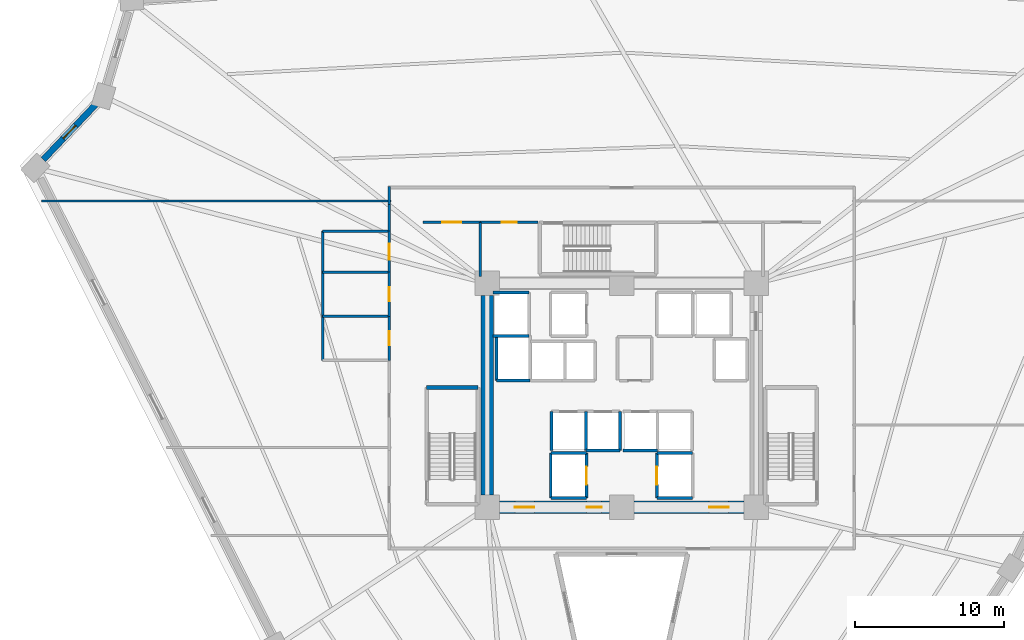
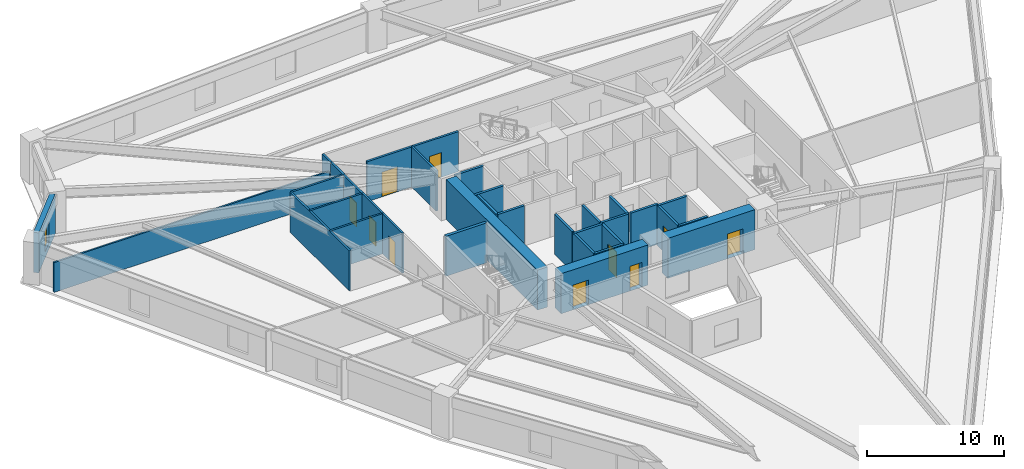
# One storey, part 4 of 8: 34 walls, 10 doors, 1 window, 11 openings.
"""IFC4 building model written with IfcOpenShell, lengths in metres."""

from ifc_helpers import new_model, si_unit, direction, frame, frame_2d, origin, place, context, subcontext, project, spatial, rectangle, extrude, source, transform, mapped, material, layer, layer_set, type_object, element, fill, save


model = new_model("IFC4")

# Units and contexts
model_context = context("Model", 3, precision=1e-05, world=origin(), true_north=direction((0.0, 1.0)))
body_context = subcontext(model_context, "Body", "Model", "MODEL_VIEW")
ifc_project = project(units=[si_unit("LENGTHUNIT", "METRE"), si_unit("AREAUNIT", "SQUARE_METRE"), si_unit("VOLUMEUNIT", "CUBIC_METRE"), si_unit("PLANEANGLEUNIT", "RADIAN"), si_unit("MASSUNIT", "GRAM", prefix="KILO")], contexts=[model_context])

# Site, building, storey
site_placement = place(None, origin())
site = spatial("IfcSite", under=ifc_project, at=site_placement, CompositionType="ELEMENT")
building_placement = place(site_placement, origin())
building = spatial("IfcBuilding", under=site, at=building_placement, Name="Liaohun Quay Tower", CompositionType="ELEMENT")
storey_placement = place(building_placement, frame((0.0, 0.0, 32.25)))
storey = spatial("IfcBuildingStorey", under=building, at=storey_placement, Name="L08", CompositionType="ELEMENT", Elevation=32.25)

# Wall, opening, door
ifc_material_1 = material(Name="Concrete C60", Category="concrete")
ifc_layer_1 = layer(ifc_material_1, 0.85009765625, Name="Concrete C60", Category="concrete")
ifc_layer_set_1 = layer_set([ifc_layer_1], Name="Concrete C60")
wall_type_1 = type_object("IfcWallType", Name="WAL-COR-Z1", PredefinedType="SHEAR", material=ifc_layer_set_1)
wall_1_placement = place(storey_placement, frame((68.175048828125, 46.5, 0.0), z_axis=(0.0, 0.0, 1.0), x_axis=(-1.0, 0.0, 0.0)))
wall_1 = element("IfcWall", 1, at=wall_1_placement, inside=storey, type_object=wall_type_1, Name="L08 Central Core Shear Wall S-E", PredefinedType="SHEAR", context=body_context, shape_type="SweptSolid", body=[
    extrude(rectangle(XDim=7.35009765625, YDim=0.85009765625, at=frame_2d((3.675048828125, 0.0))), origin(), (0.0, 0.0, 1.0), 3.570068359375),
])
shared_shape_1 = source(origin(), body_context, "Body", "SweptSolid", [
    extrude(rectangle(XDim=1.300048828125, YDim=2.199951171875, at=frame_2d((0.64990234375, 1.10009765625))), frame((0.0, 0.43505859375, 0.0), z_axis=(0.0, -1.0, 0.0), x_axis=(1.0, 0.0, 0.0)), (0.0, 0.0, 1.0), 0.8701171875),
])
opening_1_placement = place(wall_1_placement, frame((1.02490234375, 0.0, 0.0)))
opening_1 = element("IfcOpeningElement", 2, at=opening_1_placement, cuts=wall_1, Name="Opening FD1", PredefinedType="OPENING", context=body_context, shape_type="MappedRepresentation", body=[
    mapped(shared_shape_1, transform((0.0, 0.0, 0.0), x_axis=(1.0, 0.0, 0.0), y_axis=(0.0, 1.0, 0.0), z_axis=(0.0, 0.0, 1.0), scale=1.0)),
])
ifc_material_2 = material(Name="Galvanised steel smokeproof fire door", Category="steel")
door_type_1 = type_object("IfcDoorType", Name="DOR-FFL-1300", OperationType="NOTDEFINED", PredefinedType="DOOR", material=ifc_material_2)
shared_shape_2 = source(origin(), body_context, "Body", "SweptSolid", [
    extrude(rectangle(XDim=1.300048828125, YDim=2.199951171875, at=frame_2d((0.64990234375, 1.10009765625))), frame((0.0, 0.02490234375, 0.0), z_axis=(0.0, -1.0, 0.0), x_axis=(1.0, 0.0, 0.0)), (0.0, 0.0, 1.0), 0.050048828125),
])
door_1_placement = place(opening_1_placement, origin())
door_1 = element("IfcDoor", 3, at=door_1_placement, inside=storey, type_object=door_type_1, Name="L08 East Core Lift Lobby Smokeproof Door", OperationType="SINGLE_SWING_LEFT", OverallHeight=2.199951171875, OverallWidth=1.300048828125, PredefinedType="DOOR", context=body_context, shape_type="MappedRepresentation", body=[
    mapped(shared_shape_2, transform((0.0, 0.0, 0.0), x_axis=(1.0, 0.0, 0.0), y_axis=(0.0, 1.0, 0.0), z_axis=(0.0, 0.0, 1.0), scale=1.0)),
])
fill(opening_1, door_1)

# Wall, openings, doors
wall_2_placement = place(storey_placement, frame((59.175048828125, 46.5, 0.0), z_axis=(0.0, 0.0, 1.0), x_axis=(-1.0, 0.0, 0.0)))
wall_2 = element("IfcWall", 4, at=wall_2_placement, inside=storey, type_object=wall_type_1, Name="L08 Central Core Shear Wall S-W", PredefinedType="SHEAR", context=body_context, shape_type="SweptSolid", body=[
    extrude(rectangle(XDim=7.35009765625, YDim=0.85009765625, at=frame_2d((3.675048828125, 0.0))), origin(), (0.0, 0.0, 1.0), 3.570068359375),
])
opening_2_placement = place(wall_2_placement, frame((5.02490234375, 0.0, 0.0)))
opening_2 = element("IfcOpeningElement", 5, at=opening_2_placement, cuts=wall_2, Name="Opening FD1", PredefinedType="OPENING", context=body_context, shape_type="MappedRepresentation", body=[
    mapped(shared_shape_1, transform((0.0, 0.0, 0.0), x_axis=(1.0, 0.0, 0.0), y_axis=(0.0, 1.0, 0.0), z_axis=(0.0, 0.0, 1.0), scale=1.0)),
])
shared_shape_3 = source(origin(), body_context, "Body", "SweptSolid", [
    extrude(rectangle(XDim=1.0, YDim=2.199951171875, at=frame_2d((0.5, 1.10009765625))), frame((0.0, 0.43505859375, 0.0), z_axis=(0.0, -1.0, 0.0), x_axis=(1.0, 0.0, 0.0)), (0.0, 0.0, 1.0), 0.8701171875),
])
opening_3_placement = place(wall_2_placement, frame((0.52490234375, 0.0, 0.0)))
opening_3 = element("IfcOpeningElement", 6, at=opening_3_placement, cuts=wall_2, Name="Opening FD2", PredefinedType="OPENING", context=body_context, shape_type="MappedRepresentation", body=[
    mapped(shared_shape_3, transform((0.0, 0.0, 0.0), x_axis=(1.0, 0.0, 0.0), y_axis=(0.0, 1.0, 0.0), z_axis=(0.0, 0.0, 1.0), scale=1.0)),
])
door_2_placement = place(opening_2_placement, origin())
door_2 = element("IfcDoor", 7, at=door_2_placement, inside=storey, type_object=door_type_1, Name="L08 West Core Lift Lobby Smokeproof Door", OperationType="SINGLE_SWING_RIGHT", OverallHeight=2.199951171875, OverallWidth=1.300048828125, PredefinedType="DOOR", context=body_context, shape_type="MappedRepresentation", body=[
    mapped(shared_shape_2, transform((0.0, 0.0, 0.0), x_axis=(1.0, 0.0, 0.0), y_axis=(0.0, 1.0, 0.0), z_axis=(0.0, 0.0, 1.0), scale=1.0)),
])
fill(opening_2, door_2)
ifc_material_3 = material(Name="Galvanised steel smokeproof lobby fire door", Category="steel")
door_type_2 = type_object("IfcDoorType", Name="DOR-FFL-1000", OperationType="NOTDEFINED", PredefinedType="DOOR", material=ifc_material_3)
shared_shape_4 = source(origin(), body_context, "Body", "SweptSolid", [
    extrude(rectangle(XDim=1.0, YDim=2.199951171875, at=frame_2d((0.5, 1.10009765625))), frame((0.0, 0.02490234375, 0.0), z_axis=(0.0, -1.0, 0.0), x_axis=(1.0, 0.0, 0.0)), (0.0, 0.0, 1.0), 0.050048828125),
])
door_3_placement = place(opening_3_placement, origin())
door_3 = element("IfcDoor", 8, at=door_3_placement, inside=storey, type_object=door_type_2, Name="L08 South Firefighting Lobby Smokeproof Door", OperationType="SINGLE_SWING_LEFT", OverallHeight=2.199951171875, OverallWidth=1.0, PredefinedType="DOOR", context=body_context, shape_type="MappedRepresentation", body=[
    mapped(shared_shape_4, transform((0.0, 0.0, 0.0), x_axis=(1.0, 0.0, 0.0), y_axis=(0.0, 1.0, 0.0), z_axis=(0.0, 0.0, 1.0), scale=1.0)),
])
fill(opening_3, door_3)

# Wall
wall_3_placement = place(storey_placement, frame((51.0, 47.324951171875, 0.0), z_axis=(0.0, 0.0, 1.0), x_axis=(0.0, 1.0, 0.0)))
element("IfcWall", 9, at=wall_3_placement, inside=storey, type_object=wall_type_1, Name="L08 Central Core Shear Wall W", PredefinedType="SHEAR", context=body_context, shape_type="SweptSolid", body=[
    extrude(rectangle(XDim=13.35009765625, YDim=0.85009765625, at=frame_2d((6.675048828125, 0.0))), origin(), (0.0, 0.0, 1.0), 3.570068359375),
])

# Wall, opening, window
ifc_material_4 = material(Name="Precast concrete C50 insulated sandwich", Category="concrete")
ifc_layer_2 = layer(ifc_material_4, 0.419921875, Name="Precast concrete C50 insulated sandwich", Category="concrete")
ifc_layer_set_2 = layer_set([ifc_layer_2], Name="Precast concrete C50 insulated sandwich")
wall_type_2 = type_object("IfcWallType", Name="WAL-EXT-Z12", PredefinedType="SOLIDWALL", material=ifc_layer_set_2)
wall_4_placement = place(storey_placement, frame((24.7939453125, 73.468017578125, 0.0), z_axis=(0.0, 0.0, 1.0), x_axis=(-0.689456877946, -0.724326731146, 0.0)))
wall_4 = element("IfcWall", 10, at=wall_4_placement, inside=storey, type_object=wall_type_2, Name="L08 Brutalist Precast Pier Wall 09", PredefinedType="SOLIDWALL", context=body_context, shape_type="SweptSolid", body=[
    extrude(rectangle(XDim=5.10400390625, YDim=0.419921875, at=frame_2d((2.552001953125, 0.0))), origin(), (0.0, 0.0, 1.0), 3.570068359375),
])
shared_shape_5 = source(origin(), body_context, "Body", "SweptSolid", [
    extrude(rectangle(XDim=1.199951171875, YDim=1.89990234375, at=frame_2d((0.60009765625, 0.949951171875))), frame((0.0, 0.219970703125, 0.0), z_axis=(0.0, -1.0, 0.0), x_axis=(1.0, 0.0, 0.0)), (0.0, 0.0, 1.0), 0.43994140625),
])
opening_4_placement = place(wall_4_placement, frame((1.951904296875, 0.0, 0.550048828125)))
opening_4 = element("IfcOpeningElement", 11, at=opening_4_placement, cuts=wall_4, Name="Opening W05", PredefinedType="OPENING", context=body_context, shape_type="MappedRepresentation", body=[
    mapped(shared_shape_5, transform((0.0, 0.0, 0.0), x_axis=(1.0, 0.0, 0.0), y_axis=(0.0, 1.0, 0.0), z_axis=(0.0, 0.0, 1.0), scale=1.0)),
])
ifc_material_5 = material(Name="Triple Low-E corner notch glazing", Category="glass")
window_type = type_object("IfcWindowType", Name="WIN-NOTCH", PartitioningType="SINGLE_PANEL", PredefinedType="WINDOW", material=ifc_material_5)
shared_shape_6 = source(origin(), body_context, "Body", "SweptSolid", [
    extrude(rectangle(XDim=1.199951171875, YDim=1.89990234375, at=frame_2d((0.60009765625, 0.949951171875))), frame((0.0, 0.030029296875, 0.0), z_axis=(0.0, -1.0, 0.0), x_axis=(1.0, 0.0, 0.0)), (0.0, 0.0, 1.0), 0.06005859375),
])
window_placement = place(opening_4_placement, origin())
window = element("IfcWindow", 12, at=window_placement, inside=storey, type_object=window_type, Name="L08 Corner Notch Window W05-09", OverallHeight=1.89990234375, OverallWidth=1.199951171875, PartitioningType="SINGLE_PANEL", PredefinedType="WINDOW", context=body_context, shape_type="MappedRepresentation", body=[
    mapped(shared_shape_6, transform((0.0, 0.0, 0.0), x_axis=(1.0, 0.0, 0.0), y_axis=(0.0, 1.0, 0.0), z_axis=(0.0, 0.0, 1.0), scale=1.0)),
])
fill(opening_4, window)

# Wall, opening, door
ifc_material_6 = material(Name="Autoclaved aerated concrete blockwork", Category="masonry")
ifc_layer_3 = layer(ifc_material_6, 0.179931640625, Name="Autoclaved aerated concrete blockwork", Category="masonry")
ifc_layer_set_3 = layer_set([ifc_layer_3], Name="Autoclaved aerated concrete blockwork")
wall_type_3 = type_object("IfcWallType", Name="WAL-PRT-COR", PredefinedType="PARTITIONING", material=ifc_layer_set_3)
wall_5_placement = place(storey_placement, frame((50.5400390625, 65.580078125, 0.0), z_axis=(0.0, 0.0, 1.0), x_axis=(1.0, 0.0, 0.0)))
wall_5 = element("IfcWall", 13, at=wall_5_placement, inside=storey, type_object=wall_type_3, Name="L08 Interior Partition Wall 005", PredefinedType="PARTITIONING", context=body_context, shape_type="SweptSolid", body=[
    extrude(rectangle(XDim=3.869873046875, YDim=0.179931640625, at=frame_2d((1.93505859375, 0.0))), origin(), (0.0, 0.0, 1.0), 3.570068359375),
])
shared_shape_7 = source(origin(), body_context, "Body", "SweptSolid", [
    extrude(rectangle(XDim=1.0, YDim=2.199951171875, at=frame_2d((0.5, 1.10009765625))), frame((0.0, 0.099853515625, 0.0), z_axis=(0.0, -1.0, 0.0), x_axis=(1.0, 0.0, 0.0)), (0.0, 0.0, 1.0), 0.199951171875),
])
opening_5_placement = place(wall_5_placement, frame((1.43505859375, 0.0, 0.0)))
opening_5 = element("IfcOpeningElement", 14, at=opening_5_placement, cuts=wall_5, Name="Opening OD1", PredefinedType="OPENING", context=body_context, shape_type="MappedRepresentation", body=[
    mapped(shared_shape_7, transform((0.0, 0.0, 0.0), x_axis=(1.0, 0.0, 0.0), y_axis=(0.0, 1.0, 0.0), z_axis=(0.0, 0.0, 1.0), scale=1.0)),
])
ifc_material_7 = material(Name="Solid-core oak veneer timber leaf in steel frame", Category="steel")
door_type_3 = type_object("IfcDoorType", Name="DOR-OFF-1000", OperationType="NOTDEFINED", PredefinedType="DOOR", material=ifc_material_7)
door_4_placement = place(opening_5_placement, origin())
door_4 = element("IfcDoor", 15, at=door_4_placement, inside=storey, type_object=door_type_3, Name="L08 North-West Print and Telecom Room Door", OperationType="SINGLE_SWING_RIGHT", OverallHeight=2.199951171875, OverallWidth=1.0, PredefinedType="DOOR", context=body_context, shape_type="MappedRepresentation", body=[
    mapped(shared_shape_4, transform((0.0, 0.0, 0.0), x_axis=(1.0, 0.0, 0.0), y_axis=(0.0, 1.0, 0.0), z_axis=(0.0, 0.0, 1.0), scale=1.0)),
])
fill(opening_5, door_4)

wall_6_placement = place(storey_placement, frame((46.699951171875, 65.580078125, 0.0), z_axis=(0.0, 0.0, 1.0), x_axis=(1.0, 0.0, 0.0)))
wall_6 = element("IfcWall", 16, at=wall_6_placement, inside=storey, type_object=wall_type_3, Name="L08 Interior Partition Wall 007", PredefinedType="PARTITIONING", context=body_context, shape_type="SweptSolid", body=[
    extrude(rectangle(XDim=3.840087890625, YDim=0.179931640625, at=frame_2d((1.919921875, 0.0))), origin(), (0.0, 0.0, 1.0), 3.570068359375),
])
shared_shape_8 = source(origin(), body_context, "Body", "SweptSolid", [
    extrude(rectangle(XDim=1.300048828125, YDim=2.199951171875, at=frame_2d((0.64990234375, 1.10009765625))), frame((0.0, 0.099853515625, 0.0), z_axis=(0.0, -1.0, 0.0), x_axis=(1.0, 0.0, 0.0)), (0.0, 0.0, 1.0), 0.199951171875),
])
opening_6_placement = place(wall_6_placement, frame((1.27001953125, 0.0, 0.0)))
opening_6 = element("IfcOpeningElement", 17, at=opening_6_placement, cuts=wall_6, Name="Opening FD1", PredefinedType="OPENING", context=body_context, shape_type="MappedRepresentation", body=[
    mapped(shared_shape_8, transform((0.0, 0.0, 0.0), x_axis=(1.0, 0.0, 0.0), y_axis=(0.0, 1.0, 0.0), z_axis=(0.0, 0.0, 1.0), scale=1.0)),
])
door_5_placement = place(opening_6_placement, origin())
door_5 = element("IfcDoor", 18, at=door_5_placement, inside=storey, type_object=door_type_1, Name="L08 West Core Vestibule Door", OperationType="SINGLE_SWING_RIGHT", OverallHeight=2.199951171875, OverallWidth=1.300048828125, PredefinedType="DOOR", context=body_context, shape_type="MappedRepresentation", body=[
    mapped(shared_shape_2, transform((0.0, 0.0, 0.0), x_axis=(1.0, 0.0, 0.0), y_axis=(0.0, 1.0, 0.0), z_axis=(0.0, 0.0, 1.0), scale=1.0)),
])
fill(opening_6, door_5)

# Walls
wall_7_placement = place(storey_placement, frame((50.5400390625, 61.949951171875, 0.0), z_axis=(0.0, 0.0, 1.0), x_axis=(0.0, 1.0, 0.0)))
element("IfcWall", 19, at=wall_7_placement, inside=storey, type_object=wall_type_3, Name="L08 Interior Partition Wall 023", PredefinedType="PARTITIONING", context=body_context, shape_type="SweptSolid", body=[
    extrude(rectangle(XDim=3.630126953125, YDim=0.179931640625, at=frame_2d((1.81494140625, 0.0))), origin(), (0.0, 0.0, 1.0), 3.570068359375),
])
wall_8_placement = place(storey_placement, frame((44.43994140625, 66.784912109375, 0.0), z_axis=(0.0, 0.0, 1.0), x_axis=(0.0, 1.0, 0.0)))
element("IfcWall", 20, at=wall_8_placement, inside=storey, type_object=wall_type_3, Name="L08 Interior Partition Wall 025", PredefinedType="PARTITIONING", context=body_context, shape_type="SweptSolid", body=[
    extrude(rectangle(XDim=1.195068359375, YDim=0.179931640625, at=frame_2d((0.59765625, 0.0))), origin(), (0.0, 0.0, 1.0), 3.570068359375),
])
wall_9_placement = place(storey_placement, frame((44.43994140625, 64.97998046875, 0.0), z_axis=(0.0, 0.0, 1.0), x_axis=(0.0, 1.0, 0.0)))
element("IfcWall", 21, at=wall_9_placement, inside=storey, type_object=wall_type_3, Name="L08 Interior Partition Wall 027", PredefinedType="PARTITIONING", context=body_context, shape_type="SweptSolid", body=[
    extrude(rectangle(XDim=1.804931640625, YDim=0.179931640625, at=frame_2d((0.90234375, 0.0))), origin(), (0.0, 0.0, 1.0), 3.570068359375),
])
ifc_material_8 = material(Name="Gypsum board on twin steel studs", Category="steel")
ifc_layer_4 = layer(ifc_material_8, 0.139892578125, Name="Gypsum board on twin steel studs", Category="steel")
ifc_layer_set_4 = layer_set([ifc_layer_4], Name="Gypsum board on twin steel studs")
wall_type_4 = type_object("IfcWallType", Name="WAL-PRT-OFF", PredefinedType="PARTITIONING", material=ifc_layer_set_4)
wall_10_placement = place(storey_placement, frame((44.5400390625, 67.0, 0.0), z_axis=(0.0, 0.0, 1.0), x_axis=(-1.0, 0.0, 0.0)))
element("IfcWall", 22, at=wall_10_placement, inside=storey, type_object=wall_type_4, Name="L08 Interior Partition Wall 032", PredefinedType="PARTITIONING", context=body_context, shape_type="SweptSolid", body=[
    extrude(rectangle(XDim=23.3759765625, YDim=0.139892578125, at=frame_2d((11.68798828125, 0.0))), origin(), (0.0, 0.0, 1.0), 2.655029296875),
])

# Wall, opening, door
ifc_material_9 = material(Name="Moisture-resistant masonry blockwork", Category="masonry")
ifc_layer_5 = layer(ifc_material_9, 0.159912109375, Name="Moisture-resistant masonry blockwork", Category="masonry")
ifc_layer_set_5 = layer_set([ifc_layer_5], Name="Moisture-resistant masonry blockwork")
wall_type_5 = type_object("IfcWallType", Name="WAL-PRT-WET", PredefinedType="PARTITIONING", material=ifc_layer_set_5)
wall_11_placement = place(storey_placement, frame((44.43994140625, 56.340087890625, 0.0), z_axis=(0.0, 0.0, 1.0), x_axis=(0.0, 1.0, 0.0)))
wall_11 = element("IfcWall", 23, at=wall_11_placement, inside=storey, type_object=wall_type_5, Name="L08 Interior Partition Wall 002", PredefinedType="PARTITIONING", context=body_context, shape_type="SweptSolid", body=[
    extrude(rectangle(XDim=2.93994140625, YDim=0.159912109375, at=frame_2d((1.469970703125, 0.0))), origin(), (0.0, 0.0, 1.0), 3.570068359375),
])
shared_shape_9 = source(origin(), body_context, "Body", "SweptSolid", [
    extrude(rectangle(XDim=0.949951171875, YDim=2.14990234375, at=frame_2d((0.47509765625, 1.074951171875))), frame((0.0, 0.08984375, 0.0), z_axis=(0.0, -1.0, 0.0), x_axis=(1.0, 0.0, 0.0)), (0.0, 0.0, 1.0), 0.179931640625),
])
opening_7_placement = place(wall_11_placement, frame((0.9951171875, 0.0, 0.0)))
opening_7 = element("IfcOpeningElement", 24, at=opening_7_placement, cuts=wall_11, Name="Opening WD1", PredefinedType="OPENING", context=body_context, shape_type="MappedRepresentation", body=[
    mapped(shared_shape_9, transform((0.0, 0.0, 0.0), x_axis=(1.0, 0.0, 0.0), y_axis=(0.0, 1.0, 0.0), z_axis=(0.0, 0.0, 1.0), scale=1.0)),
])
ifc_material_10 = material(Name="Moisture-resistant laminate timber leaf", Category="wood")
door_type_4 = type_object("IfcDoorType", Name="DOR-WC-950", OperationType="NOTDEFINED", PredefinedType="DOOR", material=ifc_material_10)
shared_shape_10 = source(origin(), body_context, "Body", "SweptSolid", [
    extrude(rectangle(XDim=0.949951171875, YDim=2.14990234375, at=frame_2d((0.47509765625, 1.074951171875))), frame((0.0, 0.02490234375, 0.0), z_axis=(0.0, -1.0, 0.0), x_axis=(1.0, 0.0, 0.0)), (0.0, 0.0, 1.0), 0.050048828125),
])
door_6_placement = place(opening_7_placement, origin())
door_6 = element("IfcDoor", 25, at=door_6_placement, inside=storey, type_object=door_type_4, Name="L08 Male Restroom WC Door", OperationType="SINGLE_SWING_LEFT", OverallHeight=2.14990234375, OverallWidth=0.949951171875, PredefinedType="DOOR", context=body_context, shape_type="MappedRepresentation", body=[
    mapped(shared_shape_10, transform((0.0, 0.0, 0.0), x_axis=(1.0, 0.0, 0.0), y_axis=(0.0, 1.0, 0.0), z_axis=(0.0, 0.0, 1.0), scale=1.0)),
])
fill(opening_7, door_6)

wall_12_placement = place(storey_placement, frame((44.43994140625, 59.280029296875, 0.0), z_axis=(0.0, 0.0, 1.0), x_axis=(0.0, 1.0, 0.0)))
wall_12 = element("IfcWall", 26, at=wall_12_placement, inside=storey, type_object=wall_type_5, Name="L08 Interior Partition Wall 003", PredefinedType="PARTITIONING", context=body_context, shape_type="SweptSolid", body=[
    extrude(rectangle(XDim=2.9599609375, YDim=0.159912109375, at=frame_2d((1.47998046875, 0.0))), origin(), (0.0, 0.0, 1.0), 3.570068359375),
])
opening_8_placement = place(wall_12_placement, frame((1.0048828125, 0.0, 0.0)))
opening_8 = element("IfcOpeningElement", 27, at=opening_8_placement, cuts=wall_12, Name="Opening WD1", PredefinedType="OPENING", context=body_context, shape_type="MappedRepresentation", body=[
    mapped(shared_shape_9, transform((0.0, 0.0, 0.0), x_axis=(1.0, 0.0, 0.0), y_axis=(0.0, 1.0, 0.0), z_axis=(0.0, 0.0, 1.0), scale=1.0)),
])
door_7_placement = place(opening_8_placement, origin())
door_7 = element("IfcDoor", 28, at=door_7_placement, inside=storey, type_object=door_type_4, Name="L08 Female Restroom WC Door", OperationType="SINGLE_SWING_RIGHT", OverallHeight=2.14990234375, OverallWidth=0.949951171875, PredefinedType="DOOR", context=body_context, shape_type="MappedRepresentation", body=[
    mapped(shared_shape_10, transform((0.0, 0.0, 0.0), x_axis=(1.0, 0.0, 0.0), y_axis=(0.0, 1.0, 0.0), z_axis=(0.0, 0.0, 1.0), scale=1.0)),
])
fill(opening_8, door_7)

wall_13_placement = place(storey_placement, frame((44.43994140625, 62.239990234375, 0.0), z_axis=(0.0, 0.0, 1.0), x_axis=(0.0, 1.0, 0.0)))
wall_13 = element("IfcWall", 29, at=wall_13_placement, inside=storey, type_object=wall_type_5, Name="L08 Interior Partition Wall 004", PredefinedType="PARTITIONING", context=body_context, shape_type="SweptSolid", body=[
    extrude(rectangle(XDim=2.739990234375, YDim=0.159912109375, at=frame_2d((1.3701171875, 0.0))), origin(), (0.0, 0.0, 1.0), 3.570068359375),
])
shared_shape_11 = source(origin(), body_context, "Body", "SweptSolid", [
    extrude(rectangle(XDim=1.050048828125, YDim=2.14990234375, at=frame_2d((0.52490234375, 1.074951171875))), frame((0.0, 0.08984375, 0.0), z_axis=(0.0, -1.0, 0.0), x_axis=(1.0, 0.0, 0.0)), (0.0, 0.0, 1.0), 0.179931640625),
])
opening_9_placement = place(wall_13_placement, frame((0.844970703125, 0.0, 0.0)))
opening_9 = element("IfcOpeningElement", 30, at=opening_9_placement, cuts=wall_13, Name="Opening WD2", PredefinedType="OPENING", context=body_context, shape_type="MappedRepresentation", body=[
    mapped(shared_shape_11, transform((0.0, 0.0, 0.0), x_axis=(1.0, 0.0, 0.0), y_axis=(0.0, 1.0, 0.0), z_axis=(0.0, 0.0, 1.0), scale=1.0)),
])
ifc_material_11 = material(Name="Accessible outward-swinging laminate door")
door_type_5 = type_object("IfcDoorType", Name="DOR-AWC-1050", OperationType="NOTDEFINED", PredefinedType="DOOR", material=ifc_material_11)
shared_shape_12 = source(origin(), body_context, "Body", "SweptSolid", [
    extrude(rectangle(XDim=1.050048828125, YDim=2.14990234375, at=frame_2d((0.52490234375, 1.074951171875))), frame((0.0, 0.02490234375, 0.0), z_axis=(0.0, -1.0, 0.0), x_axis=(1.0, 0.0, 0.0)), (0.0, 0.0, 1.0), 0.050048828125),
])
door_8_placement = place(opening_9_placement, origin())
door_8 = element("IfcDoor", 31, at=door_8_placement, inside=storey, type_object=door_type_5, Name="L08 Accessible WC Door", OperationType="SINGLE_SWING_LEFT", OverallHeight=2.14990234375, OverallWidth=1.050048828125, PredefinedType="DOOR", context=body_context, shape_type="MappedRepresentation", body=[
    mapped(shared_shape_12, transform((0.0, 0.0, 0.0), x_axis=(1.0, 0.0, 0.0), y_axis=(0.0, 1.0, 0.0), z_axis=(0.0, 0.0, 1.0), scale=1.0)),
])
fill(opening_9, door_8)

# Walls
wall_14_placement = place(storey_placement, frame((39.97998046875, 56.340087890625, 0.0), z_axis=(0.0, 0.0, 1.0), x_axis=(0.0, 1.0, 0.0)))
element("IfcWall", 32, at=wall_14_placement, inside=storey, type_object=wall_type_5, Name="L08 Interior Partition Wall 018", PredefinedType="PARTITIONING", context=body_context, shape_type="SweptSolid", body=[
    extrude(rectangle(XDim=8.639892578125, YDim=0.159912109375, at=frame_2d((4.31982421875, 0.0))), origin(), (0.0, 0.0, 1.0), 3.570068359375),
])
for number, where, z_axis, x_axis, name in (
    (33, (39.97998046875, 59.280029296875, 0.0), (0.0, 0.0, 1.0), (1.0, 0.0, 0.0), "L08 Interior Partition Wall 020"),
    (34, (39.97998046875, 62.239990234375, 0.0), (0.0, 0.0, 1.0), (1.0, 0.0, 0.0), "L08 Interior Partition Wall 021"),
    (35, (39.97998046875, 64.97998046875, 0.0), (0.0, 0.0, 1.0), (1.0, 0.0, 0.0), "L08 Interior Partition Wall 022"),
):
    element("IfcWall", number, at=place(storey_placement, frame(where, z_axis=z_axis, x_axis=x_axis)), inside=storey, type_object=wall_type_5, Name=name, PredefinedType="PARTITIONING", context=body_context, shape_type="SweptSolid", body=[
        extrude(rectangle(XDim=4.4599609375, YDim=0.159912109375, at=frame_2d((2.22998046875, 0.0))), origin(), (0.0, 0.0, 1.0), 3.570068359375),
    ])
ifc_material_12 = material(Name="Concrete C50", Category="concrete")
ifc_layer_6 = layer(ifc_material_12, 0.239990234375, Name="Concrete C50", Category="concrete")
ifc_layer_set_6 = layer_set([ifc_layer_6], Name="Concrete C50")
wall_type_6 = type_object("IfcWallType", Name="WAL-SHF-200", PredefinedType="SOLIDWALL", material=ifc_layer_set_6)
wall_15_placement = place(storey_placement, frame((50.3798828125, 54.52001953125, 0.0), z_axis=(0.0, 0.0, 1.0), x_axis=(-1.0, 0.0, 0.0)))
element("IfcWall", 36, at=wall_15_placement, inside=storey, type_object=wall_type_6, Name="L08 Stairwell ST-1 Structural Core Wall N", PredefinedType="SOLIDWALL", context=body_context, shape_type="SweptSolid", body=[
    extrude(rectangle(XDim=3.43994140625, YDim=0.239990234375, at=frame_2d((1.719970703125, 0.0))), origin(), (0.0, 0.0, 1.0), 3.570068359375),
])
wall_16_placement = place(storey_placement, frame((55.25, 47.1201171875, 0.0), z_axis=(0.0, 0.0, 1.0), x_axis=(1.0, 0.0, 0.0)))
element("IfcWall", 37, at=wall_16_placement, inside=storey, type_object=wall_type_6, Name="L08 Lift FF-01 Hoistway Wall S", PredefinedType="SOLIDWALL", context=body_context, shape_type="SweptSolid", body=[
    extrude(rectangle(XDim=2.39990234375, YDim=0.199951171875, at=frame_2d((1.199951171875, 0.0))), origin(), (0.0, 0.0, 1.0), 3.570068359375),
])

# Wall, opening, door
wall_17_placement = place(storey_placement, frame((57.64990234375, 47.1201171875, 0.0), z_axis=(0.0, 0.0, 1.0), x_axis=(0.0, 1.0, 0.0)))
wall_17 = element("IfcWall", 38, at=wall_17_placement, inside=storey, type_object=wall_type_6, Name="L08 Lift FF-01 Hoistway Wall E", PredefinedType="SOLIDWALL", context=body_context, shape_type="SweptSolid", body=[
    extrude(rectangle(XDim=3.0, YDim=0.199951171875, at=frame_2d((1.5, 0.0))), origin(), (0.0, 0.0, 1.0), 3.570068359375),
])
shared_shape_13 = source(origin(), body_context, "Body", "SweptSolid", [
    extrude(rectangle(XDim=1.199951171875, YDim=2.300048828125, at=frame_2d((0.60009765625, 1.14990234375))), frame((0.0, 0.10986328125, 0.0), z_axis=(0.0, -1.0, 0.0), x_axis=(1.0, 0.0, 0.0)), (0.0, 0.0, 1.0), 0.219970703125),
])
opening_10_placement = place(wall_17_placement, frame((0.89990234375, 0.0, 0.0)))
opening_10 = element("IfcOpeningElement", 39, at=opening_10_placement, cuts=wall_17, Name="Opening LD2", PredefinedType="OPENING", context=body_context, shape_type="MappedRepresentation", body=[
    mapped(shared_shape_13, transform((0.0, 0.0, 0.0), x_axis=(1.0, 0.0, 0.0), y_axis=(0.0, 1.0, 0.0), z_axis=(0.0, 0.0, 1.0), scale=1.0)),
])
ifc_material_13 = material(Name="Brushed stainless steel stretcher landing door", Category="steel")
door_type_6 = type_object("IfcDoorType", Name="DOR-LFT-1200", OperationType="SLIDING_TO_LEFT", PredefinedType="DOOR", material=ifc_material_13)
shared_shape_14 = source(origin(), body_context, "Body", "SweptSolid", [
    extrude(rectangle(XDim=1.199951171875, YDim=2.300048828125, at=frame_2d((0.60009765625, 1.14990234375))), frame((0.0, 0.02490234375, 0.0), z_axis=(0.0, -1.0, 0.0), x_axis=(1.0, 0.0, 0.0)), (0.0, 0.0, 1.0), 0.050048828125),
])
door_9_placement = place(opening_10_placement, origin())
door_9 = element("IfcDoor", 40, at=door_9_placement, inside=storey, type_object=door_type_6, Name="L08 Lift FF-01 Sliding Landing Door", OperationType="SLIDING_TO_LEFT", OverallHeight=2.300048828125, OverallWidth=1.199951171875, PredefinedType="DOOR", context=body_context, shape_type="MappedRepresentation", body=[
    mapped(shared_shape_14, transform((0.0, 0.0, 0.0), x_axis=(1.0, 0.0, 0.0), y_axis=(0.0, 1.0, 0.0), z_axis=(0.0, 0.0, 1.0), scale=1.0)),
])
fill(opening_10, door_9)

# Walls
wall_18_placement = place(storey_placement, frame((57.64990234375, 50.1201171875, 0.0), z_axis=(0.0, 0.0, 1.0), x_axis=(-1.0, 0.0, 0.0)))
element("IfcWall", 41, at=wall_18_placement, inside=storey, type_object=wall_type_6, Name="L08 Lift FF-01 Hoistway Wall N", PredefinedType="SOLIDWALL", context=body_context, shape_type="SweptSolid", body=[
    extrude(rectangle(XDim=2.39990234375, YDim=0.199951171875, at=frame_2d((1.199951171875, 0.0))), origin(), (0.0, 0.0, 1.0), 3.570068359375),
])
wall_19_placement = place(storey_placement, frame((55.25, 50.1201171875, 0.0), z_axis=(0.0, 0.0, 1.0), x_axis=(0.0, -1.0, 0.0)))
element("IfcWall", 42, at=wall_19_placement, inside=storey, type_object=wall_type_6, Name="L08 Lift FF-01 Hoistway Wall W", PredefinedType="SOLIDWALL", context=body_context, shape_type="SweptSolid", body=[
    extrude(rectangle(XDim=3.0, YDim=0.199951171875, at=frame_2d((1.5, 0.0))), origin(), (0.0, 0.0, 1.0), 3.570068359375),
])
for number, where, z_axis, x_axis, name in (
    (43, (62.35009765625, 47.1201171875, 0.0), (0.0, 0.0, 1.0), (1.0, 0.0, 0.0), "L08 Lift FF-02 Hoistway Wall S"),
    (44, (64.75, 50.1201171875, 0.0), (0.0, 0.0, 1.0), (-1.0, 0.0, 0.0), "L08 Lift FF-02 Hoistway Wall N"),
):
    element("IfcWall", number, at=place(storey_placement, frame(where, z_axis=z_axis, x_axis=x_axis)), inside=storey, type_object=wall_type_6, Name=name, PredefinedType="SOLIDWALL", context=body_context, shape_type="SweptSolid", body=[
        extrude(rectangle(XDim=2.39990234375, YDim=0.199951171875, at=frame_2d((1.199951171875, 0.0))), origin(), (0.0, 0.0, 1.0), 3.570068359375),
    ])

# Wall, opening, door
wall_20_placement = place(storey_placement, frame((62.35009765625, 50.1201171875, 0.0), z_axis=(0.0, 0.0, 1.0), x_axis=(0.0, -1.0, 0.0)))
wall_20 = element("IfcWall", 45, at=wall_20_placement, inside=storey, type_object=wall_type_6, Name="L08 Lift FF-02 Hoistway Wall W", PredefinedType="SOLIDWALL", context=body_context, shape_type="SweptSolid", body=[
    extrude(rectangle(XDim=3.0, YDim=0.199951171875, at=frame_2d((1.5, 0.0))), origin(), (0.0, 0.0, 1.0), 3.570068359375),
])
opening_11_placement = place(wall_20_placement, frame((0.89990234375, 0.0, 0.0)))
opening_11 = element("IfcOpeningElement", 46, at=opening_11_placement, cuts=wall_20, Name="Opening LD2", PredefinedType="OPENING", context=body_context, shape_type="MappedRepresentation", body=[
    mapped(shared_shape_13, transform((0.0, 0.0, 0.0), x_axis=(1.0, 0.0, 0.0), y_axis=(0.0, 1.0, 0.0), z_axis=(0.0, 0.0, 1.0), scale=1.0)),
])
door_10_placement = place(opening_11_placement, origin())
door_10 = element("IfcDoor", 47, at=door_10_placement, inside=storey, type_object=door_type_6, Name="L08 Lift FF-02 Sliding Landing Door", OperationType="SLIDING_TO_LEFT", OverallHeight=2.300048828125, OverallWidth=1.199951171875, PredefinedType="DOOR", context=body_context, shape_type="MappedRepresentation", body=[
    mapped(shared_shape_14, transform((0.0, 0.0, 0.0), x_axis=(1.0, 0.0, 0.0), y_axis=(0.0, 1.0, 0.0), z_axis=(0.0, 0.0, 1.0), scale=1.0)),
])
fill(opening_11, door_10)

# Walls
for number, where, z_axis, x_axis, name in (
    (48, (51.39990234375, 57.949951171875, 0.0), (0.0, 0.0, 1.0), (1.0, 0.0, 0.0), "L08 Lift SH-01 Hoistway Wall S"),
    (49, (53.800048828125, 60.8798828125, 0.0), (0.0, 0.0, 1.0), (-1.0, 0.0, 0.0), "L08 Lift SH-01 Hoistway Wall N"),
):
    element("IfcWall", number, at=place(storey_placement, frame(where, z_axis=z_axis, x_axis=x_axis)), inside=storey, type_object=wall_type_6, Name=name, PredefinedType="SOLIDWALL", context=body_context, shape_type="SweptSolid", body=[
        extrude(rectangle(XDim=2.400146484375, YDim=0.199951171875, at=frame_2d((1.2001953125, 0.0))), origin(), (0.0, 0.0, 1.0), 3.570068359375),
    ])
wall_21_placement = place(storey_placement, frame((51.6201171875, 55.0, 0.0), z_axis=(0.0, 0.0, 1.0), x_axis=(1.0, 0.0, 0.0)))
element("IfcWall", 50, at=wall_21_placement, inside=storey, type_object=wall_type_6, Name="L08 Lift SH-02 Hoistway Wall S", PredefinedType="SOLIDWALL", context=body_context, shape_type="SweptSolid", body=[
    extrude(rectangle(XDim=2.22998046875, YDim=0.199951171875, at=frame_2d((1.114990234375, 0.0))), origin(), (0.0, 0.0, 1.0), 3.570068359375),
])
wall_22_placement = place(storey_placement, frame((51.6201171875, 58.0, 0.0), z_axis=(0.0, 0.0, 1.0), x_axis=(0.0, -1.0, 0.0)))
element("IfcWall", 51, at=wall_22_placement, inside=storey, type_object=wall_type_6, Name="L08 Lift SH-02 Hoistway Wall W", PredefinedType="SOLIDWALL", context=body_context, shape_type="SweptSolid", body=[
    extrude(rectangle(XDim=3.0, YDim=0.199951171875, at=frame_2d((1.5, 0.0))), origin(), (0.0, 0.0, 1.0), 3.570068359375),
])
for number, where, z_axis, x_axis, name in (
    (52, (57.60009765625, 50.300048828125, 0.0), (0.0, 0.0, 1.0), (0.0, 1.0, 0.0), "L08 Lift PL-1A Hoistway Wall E"),
    (53, (55.300048828125, 52.89990234375, 0.0), (0.0, 0.0, 1.0), (0.0, -1.0, 0.0), "L08 Lift PL-1A Hoistway Wall W"),
):
    element("IfcWall", number, at=place(storey_placement, frame(where, z_axis=z_axis, x_axis=x_axis)), inside=storey, type_object=wall_type_6, Name=name, PredefinedType="SOLIDWALL", context=body_context, shape_type="SweptSolid", body=[
        extrude(rectangle(XDim=2.599853515625, YDim=0.199951171875, at=frame_2d((1.2998046875, 0.0))), origin(), (0.0, 0.0, 1.0), 3.570068359375),
    ])
wall_23_placement = place(storey_placement, frame((57.60009765625, 50.300048828125, 0.0), z_axis=(0.0, 0.0, 1.0), x_axis=(1.0, 0.0, 0.0)))
element("IfcWall", 54, at=wall_23_placement, inside=storey, type_object=wall_type_6, Name="L08 Lift PL-1B Hoistway Wall S", PredefinedType="SOLIDWALL", context=body_context, shape_type="SweptSolid", body=[
    extrude(rectangle(XDim=2.2998046875, YDim=0.199951171875, at=frame_2d((1.14990234375, 0.0))), origin(), (0.0, 0.0, 1.0), 3.570068359375),
])
wall_24_placement = place(storey_placement, frame((59.89990234375, 50.300048828125, 0.0), z_axis=(0.0, 0.0, 1.0), x_axis=(0.0, 1.0, 0.0)))
element("IfcWall", 55, at=wall_24_placement, inside=storey, type_object=wall_type_6, Name="L08 Lift PL-1B Hoistway Wall E", PredefinedType="SOLIDWALL", context=body_context, shape_type="SweptSolid", body=[
    extrude(rectangle(XDim=2.599853515625, YDim=0.199951171875, at=frame_2d((1.2998046875, 0.0))), origin(), (0.0, 0.0, 1.0), 3.570068359375),
])
wall_25_placement = place(storey_placement, frame((60.10009765625, 50.300048828125, 0.0), z_axis=(0.0, 0.0, 1.0), x_axis=(1.0, 0.0, 0.0)))
element("IfcWall", 56, at=wall_25_placement, inside=storey, type_object=wall_type_6, Name="L08 Lift PL-1C Hoistway Wall S", PredefinedType="SOLIDWALL", context=body_context, shape_type="SweptSolid", body=[
    extrude(rectangle(XDim=2.2998046875, YDim=0.199951171875, at=frame_2d((1.14990234375, 0.0))), origin(), (0.0, 0.0, 1.0), 3.570068359375),
])

save(model, "model.ifc")
